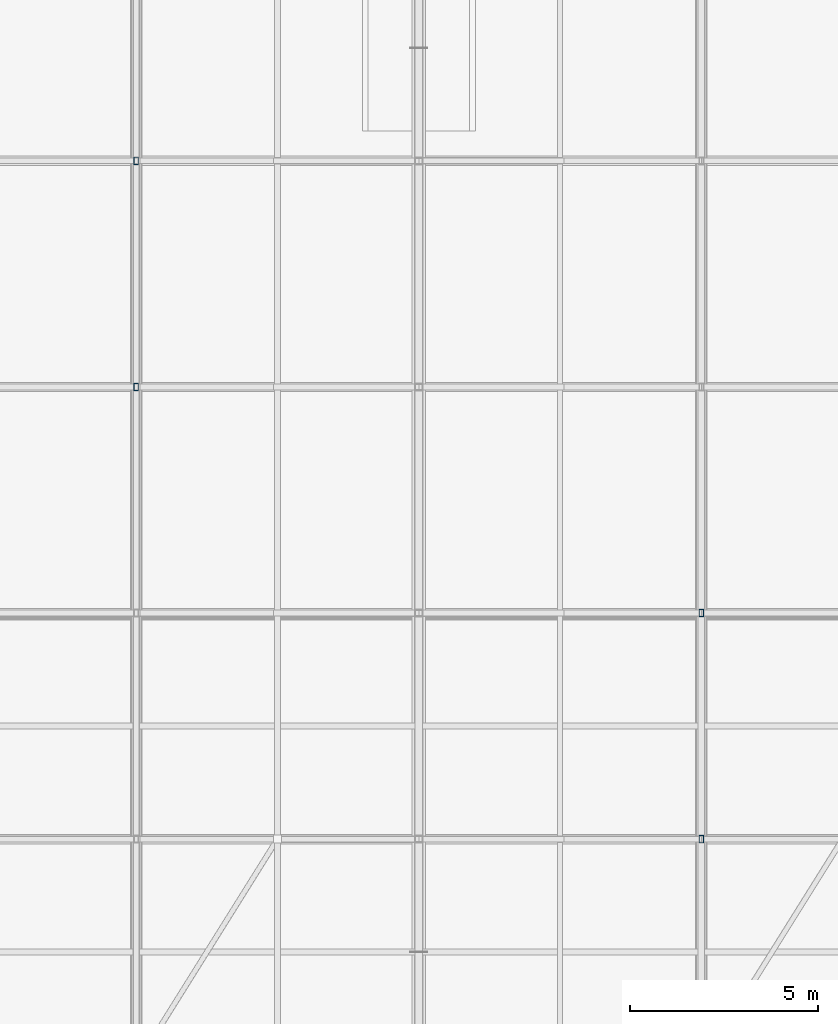
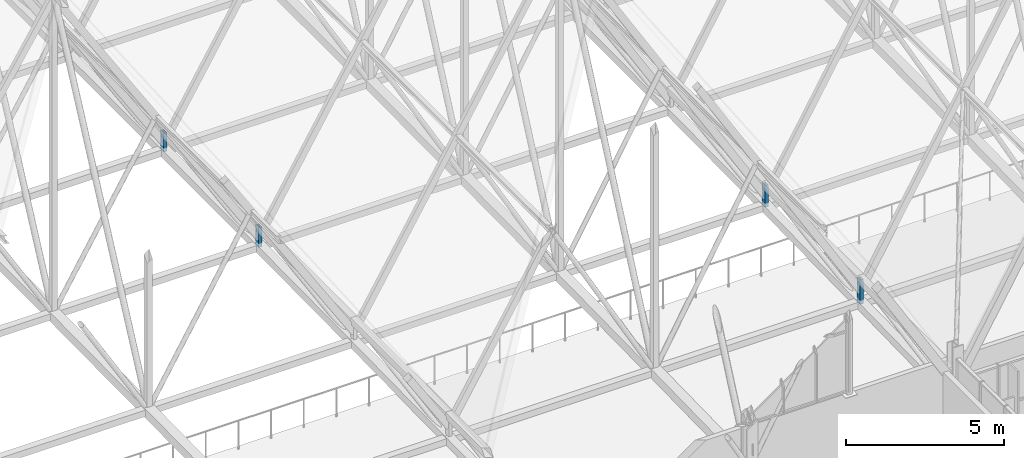
# One storey, part 248 of 324: 4 members.
"""IFC4 building model written with IfcOpenShell, lengths in metres."""

from ifc_helpers import new_model, si_unit, direction, frame, origin, origin_2d, place, context, subcontext, project, spatial, hollow_rectangle, extrude, material, material_profile, profile_set, type_object, element, save


model = new_model("IFC4")

# Units and contexts
model_context = context("Model", 3, precision=1e-05, world=origin(), true_north=direction((0.0, 1.0)))
body_context = subcontext(model_context, "Body", "Model", "MODEL_VIEW")
ifc_project = project(units=[si_unit("LENGTHUNIT", "METRE"), si_unit("AREAUNIT", "SQUARE_METRE"), si_unit("VOLUMEUNIT", "CUBIC_METRE"), si_unit("PLANEANGLEUNIT", "RADIAN"), si_unit("MASSUNIT", "GRAM", prefix="KILO")], contexts=[model_context])

# Site, building, storey
site_placement = place(None, origin())
site = spatial("IfcSite", under=ifc_project, at=site_placement, CompositionType="ELEMENT")
building_placement = place(site_placement, origin())
building = spatial("IfcBuilding", under=site, at=building_placement, Name="Solvenia Promenade Tram Depot", CompositionType="ELEMENT")
storey_placement = place(building_placement, frame((0.0, 0.0, 4.5)))
storey = spatial("IfcBuildingStorey", under=building, at=storey_placement, Name="L01", CompositionType="ELEMENT", Elevation=4.5)

# Members
ifc_material = material(Name="Structural steel ASTM A500 Gr. C", Category="steel")
ifc_material_profile = material_profile(ifc_material, hollow_rectangle(XDim=0.1201171875, YDim=0.199951171875, WallThickness=0.008056640625, at=origin_2d()), Name="HSS200x120x8", Category="steel")
ifc_profile_set = profile_set([ifc_material_profile], Name="Structural steel ASTM A500 Gr. C")
member_type = type_object("IfcMemberType", Name="Post-HSS200x120x8", PredefinedType="POST", material=ifc_profile_set)
member_1_placement = place(storey_placement, frame((30.0, 84.0, 2.614013671875), z_axis=(0.0, 0.0, 1.0), x_axis=(1.0, 0.0, 0.0)))
element("IfcMember", 1, at=member_1_placement, inside=storey, type_object=member_type, Name="Arched Truss T05 Web Post S03", PredefinedType="POST", context=body_context, shape_type="SweptSolid", body=[
    extrude(hollow_rectangle(XDim=0.1201171875, YDim=0.199951171875, WallThickness=0.008056640625, at=origin_2d()), origin(), (0.0, 0.0, 1.0), 0.765869140625),
])
member_2_placement = place(storey_placement, frame((30.0, 90.0, 2.656005859375), z_axis=(0.0, 0.0, 1.0), x_axis=(1.0, 0.0, 0.0)))
element("IfcMember", 2, at=member_2_placement, inside=storey, type_object=member_type, Name="Arched Truss T05 Web Post S04", PredefinedType="POST", context=body_context, shape_type="SweptSolid", body=[
    extrude(hollow_rectangle(XDim=0.1201171875, YDim=0.199951171875, WallThickness=0.008056640625, at=origin_2d()), origin(), (0.0, 0.0, 1.0), 0.723876953125),
])
member_3_placement = place(storey_placement, frame((45.0, 72.0, 2.446044921875), z_axis=(0.0, 0.0, 1.0), x_axis=(1.0, 0.0, 0.0)))
element("IfcMember", 3, at=member_3_placement, inside=storey, type_object=member_type, Name="Arched Truss T07 Web Post S01", PredefinedType="POST", context=body_context, shape_type="SweptSolid", body=[
    extrude(hollow_rectangle(XDim=0.1201171875, YDim=0.199951171875, WallThickness=0.008056640625, at=origin_2d()), origin(), (0.0, 0.0, 1.0), 0.933837890625),
])
member_4_placement = place(storey_placement, frame((45.0, 78.0, 2.5439453125), z_axis=(0.0, 0.0, 1.0), x_axis=(1.0, 0.0, 0.0)))
element("IfcMember", 4, at=member_4_placement, inside=storey, type_object=member_type, Name="Arched Truss T07 Web Post S02", PredefinedType="POST", context=body_context, shape_type="SweptSolid", body=[
    extrude(hollow_rectangle(XDim=0.1201171875, YDim=0.199951171875, WallThickness=0.008056640625, at=origin_2d()), origin(), (0.0, 0.0, 1.0), 0.8359375),
])

save(model, "model.ifc")
